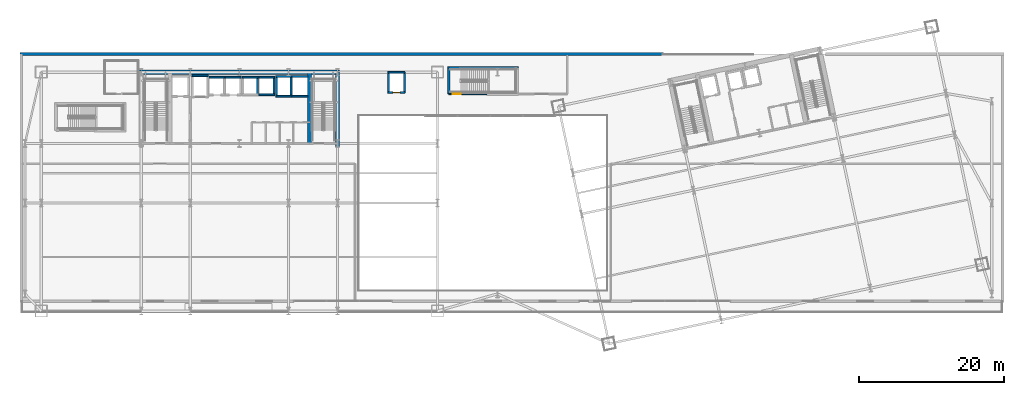
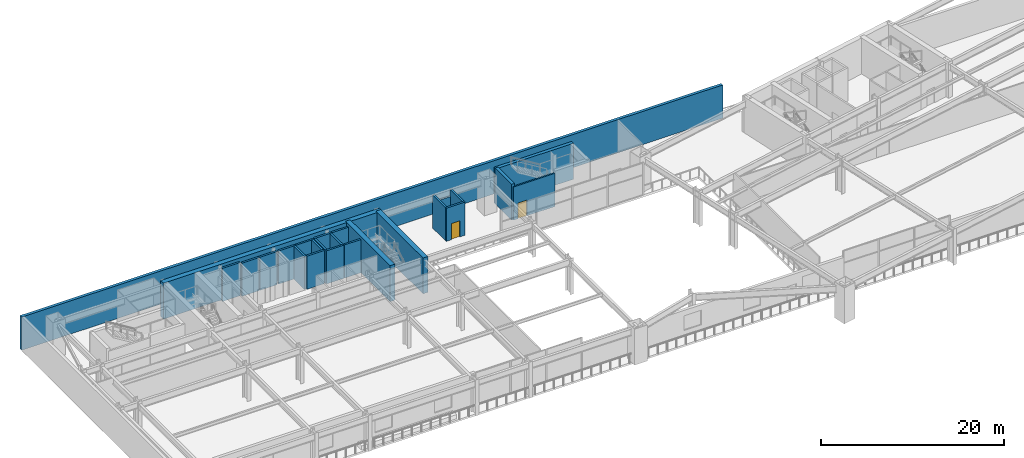
# One storey, part 20 of 35: 25 walls, 2 doors, 2 openings.
"""IFC4 building model written with IfcOpenShell, lengths in metres."""

from ifc_helpers import new_model, si_unit, direction, frame, frame_2d, origin, place, context, subcontext, project, spatial, rectangle, extrude, material, layer, layer_set, type_object, element, fill, save


model = new_model("IFC4")

# Units and contexts
model_context = context("Model", 3, precision=1e-05, world=origin(), true_north=direction((0.0, 1.0)))
body_context = subcontext(model_context, "Body", "Model", "MODEL_VIEW")
ifc_project = project(units=[si_unit("LENGTHUNIT", "METRE"), si_unit("AREAUNIT", "SQUARE_METRE"), si_unit("VOLUMEUNIT", "CUBIC_METRE"), si_unit("PLANEANGLEUNIT", "RADIAN"), si_unit("MASSUNIT", "GRAM", prefix="KILO")], contexts=[model_context])

# Site, building, storey
site_placement = place(None, origin())
site = spatial("IfcSite", under=ifc_project, at=site_placement, CompositionType="ELEMENT")
building_placement = place(site_placement, origin())
building = spatial("IfcBuilding", under=site, at=building_placement, Name="Haevon Station Towers", CompositionType="ELEMENT")
storey_placement = place(building_placement, frame((0.0, 0.0, 20.39990234375)))
storey = spatial("IfcBuildingStorey", under=building, at=storey_placement, Name="L04", CompositionType="ELEMENT", Elevation=20.39990234375)

# Wall, opening, door
ifc_material_1 = material(Name="Gypsum board on steel stud", Category="steel")
ifc_layer_1 = layer(ifc_material_1, 0.199951171875)
ifc_layer_set_1 = layer_set([ifc_layer_1], Name="Gypsum board on steel stud")
wall_type_1 = type_object("IfcWallType", Name="WL-COR200", PredefinedType="PARTITIONING", material=ifc_layer_set_1)
wall_1_placement = place(storey_placement, frame((66.300048828125, 45.0, 0.0), z_axis=(0.0, 0.0, 1.0), x_axis=(1.0, 0.0, 0.0)))
wall_1 = element("IfcWall", 1, at=wall_1_placement, inside=storey, type_object=wall_type_1, Name="WL-ST-ST6-L04-S", PredefinedType="PARTITIONING", context=body_context, shape_type="SweptSolid", body=[
    extrude(rectangle(XDim=5.199951171875, YDim=0.199951171875, at=frame_2d((2.60009765625, 0.0))), origin(), (0.0, 0.0, 1.0), 4.43017578125),
])
opening_1_placement = place(wall_1_placement, frame((0.550048828125, 0.0, 0.0)))
opening_1 = element("IfcOpeningElement", 2, at=opening_1_placement, cuts=wall_1, Name="Opening DR-ST-ST6-L04", PredefinedType="OPENING", context=body_context, shape_type="SweptSolid", body=[
    extrude(rectangle(XDim=1.1201171875, YDim=2.10009765625, at=frame_2d((0.56005859375, 1.050048828125))), frame((0.0, 0.10986328125, 0.0), z_axis=(0.0, -1.0, 0.0), x_axis=(1.0, 0.0, 0.0)), (0.0, 0.0, 1.0), 0.219970703125),
])
ifc_material_2 = material(Name="Engineered oak timber", Category="wood")
door_type_1 = type_object("IfcDoorType", Name="DR-ST-1120", OperationType="NOTDEFINED", PredefinedType="DOOR", material=ifc_material_2)
door_1_placement = place(opening_1_placement, origin())
door_1 = element("IfcDoor", 3, at=door_1_placement, inside=storey, type_object=door_type_1, Name="L04 Station Escape Stair ST6 Fire Door", OperationType="SINGLE_SWING_LEFT", OverallHeight=2.10009765625, OverallWidth=1.1201171875, PredefinedType="DOOR", context=body_context, shape_type="SweptSolid", body=[
    extrude(rectangle(XDim=1.1201171875, YDim=2.10009765625, at=frame_2d((0.56005859375, 1.050048828125))), frame((0.0, 0.02490234375, 0.0), z_axis=(0.0, -1.0, 0.0), x_axis=(1.0, 0.0, 0.0)), (0.0, 0.0, 1.0), 0.050048828125),
])
fill(opening_1, door_1)

# Walls
ifc_material_3 = material(Name="Concrete C60/75", Category="concrete")
ifc_layer_2 = layer(ifc_material_3, 0.39990234375)
ifc_layer_set_2 = layer_set([ifc_layer_2], Name="Concrete C60/75")
wall_type_2 = type_object("IfcWallType", Name="WL-CR400", PredefinedType="SHEAR", material=ifc_layer_set_2)
wall_2_placement = place(storey_placement, frame((66.10009765625, 48.60009765625, 0.0), z_axis=(0.0, 0.0, 1.0), x_axis=(1.0, 0.0, 0.0)))
element("IfcWall", 4, at=wall_2_placement, inside=storey, type_object=wall_type_2, Name="WL-ST6CR-L04-N", PredefinedType="SHEAR", context=body_context, shape_type="SweptSolid", body=[
    extrude(rectangle(XDim=9.7998046875, YDim=0.39990234375, at=frame_2d((4.89990234375, 0.0))), origin(), (0.0, 0.0, 1.0), 4.800048828125),
])
wall_3_placement = place(storey_placement, frame((66.300048828125, 45.0, 0.0), z_axis=(0.0, 0.0, 1.0), x_axis=(0.0, 1.0, 0.0)))
element("IfcWall", 5, at=wall_3_placement, inside=storey, type_object=wall_type_2, Name="WL-ST6CR-L04-W", PredefinedType="SHEAR", context=body_context, shape_type="SweptSolid", body=[
    extrude(rectangle(XDim=3.60009765625, YDim=0.39990234375, at=frame_2d((1.800048828125, 0.0))), origin(), (0.0, 0.0, 1.0), 4.800048828125),
])
ifc_layer_3 = layer(ifc_material_3, 0.60009765625)
ifc_layer_set_3 = layer_set([ifc_layer_3], Name="Concrete C60/75")
wall_type_3 = type_object("IfcWallType", Name="WL-CR600", PredefinedType="SHEAR", material=ifc_layer_set_3)
wall_4_placement = place(storey_placement, frame((23.699951171875, 48.0, 0.0), z_axis=(0.0, 0.0, 1.0), x_axis=(1.0, 0.0, 0.0)))
element("IfcWall", 6, at=wall_4_placement, inside=storey, type_object=wall_type_3, Name="WL-T1CR-L04-N", PredefinedType="SHEAR", context=body_context, shape_type="SweptSolid", body=[
    extrude(rectangle(XDim=27.60009765625, YDim=0.60009765625, at=frame_2d((13.800048828125, 0.0))), origin(), (0.0, 0.0, 1.0), 4.800048828125),
])
wall_5_placement = place(storey_placement, frame((51.0, 37.679931640625, 0.0), z_axis=(0.0, 0.0, 1.0), x_axis=(0.0, 1.0, 0.0)))
element("IfcWall", 7, at=wall_5_placement, inside=storey, type_object=wall_type_3, Name="WL-T1CR-L04-E", PredefinedType="SHEAR", context=body_context, shape_type="SweptSolid", body=[
    extrude(rectangle(XDim=10.320068359375, YDim=0.60009765625, at=frame_2d((5.16015625, 0.0))), origin(), (0.0, 0.0, 1.0), 4.800048828125),
])
wall_6_placement = place(storey_placement, frame((47.14990234375, 38.199951171875, 0.0), z_axis=(0.0, 0.0, 1.0), x_axis=(0.0, 1.0, 0.0)))
element("IfcWall", 8, at=wall_6_placement, inside=storey, type_object=wall_type_3, Name="WL-T1CR-L04-M2", PredefinedType="SHEAR", context=body_context, shape_type="SweptSolid", body=[
    extrude(rectangle(XDim=9.800048828125, YDim=0.60009765625, at=frame_2d((4.89990234375, 0.0))), origin(), (0.0, 0.0, 1.0), 4.800048828125),
])
ifc_material_4 = material(Name="Precast concrete C45/55", Category="concrete")
ifc_layer_4 = layer(ifc_material_4, 0.360107421875)
ifc_layer_set_4 = layer_set([ifc_layer_4], Name="Precast concrete C45/55")
wall_type_4 = type_object("IfcWallType", Name="WL-EXT-POD360", PredefinedType="SOLIDWALL", material=ifc_layer_set_4)
wall_7_placement = place(storey_placement, frame((7.320068359375, 50.5, 0.0), z_axis=(0.0, 0.0, 1.0), x_axis=(1.0, 0.0, 0.0)))
element("IfcWall", 9, at=wall_7_placement, inside=storey, type_object=wall_type_4, Name="WL-POD-L04-N1", PredefinedType="SOLIDWALL", context=body_context, shape_type="SweptSolid", body=[
    extrude(rectangle(XDim=88.530029296875, YDim=0.360107421875, at=frame_2d((44.26513671875, 0.0))), origin(), (0.0, 0.0, 1.0), 4.43017578125),
])
ifc_material_5 = material(Name="Concrete C40/50", Category="concrete")
ifc_layer_5 = layer(ifc_material_5, 0.239990234375)
ifc_layer_set_5 = layer_set([ifc_layer_5], Name="Concrete C40/50")
wall_type_5 = type_object("IfcWallType", Name="WL-SHF240", PredefinedType="PARTITIONING", material=ifc_layer_set_5)
wall_8_placement = place(storey_placement, frame((30.969970703125, 47.5, 0.0), z_axis=(0.0, 0.0, 1.0), x_axis=(1.0, 0.0, 0.0)))
element("IfcWall", 10, at=wall_8_placement, inside=storey, type_object=wall_type_5, Name="WL-SHF-SL1-L04-N", PredefinedType="PARTITIONING", context=body_context, shape_type="SweptSolid", body=[
    extrude(rectangle(XDim=2.260009765625, YDim=0.239990234375, at=frame_2d((1.1298828125, 0.0))), origin(), (0.0, 0.0, 1.0), 4.43017578125),
])
for number, where, z_axis, x_axis, name in (
    (11, (33.320068359375, 47.300048828125, 0.0), (0.0, 0.0, 1.0), (1.0, 0.0, 0.0), "WL-SHF-PL1-L04-N"),
    (12, (35.570068359375, 47.300048828125, 0.0), (0.0, 0.0, 1.0), (1.0, 0.0, 0.0), "WL-SHF-PL2-L04-N"),
):
    element("IfcWall", number, at=place(storey_placement, frame(where, z_axis=z_axis, x_axis=x_axis)), inside=storey, type_object=wall_type_5, Name=name, PredefinedType="PARTITIONING", context=body_context, shape_type="SweptSolid", body=[
        extrude(rectangle(XDim=2.159912109375, YDim=0.239990234375, at=frame_2d((1.080078125, 0.0))), origin(), (0.0, 0.0, 1.0), 4.43017578125),
    ])
wall_9_placement = place(storey_placement, frame((37.919921875, 47.300048828125, 0.0), z_axis=(0.0, 0.0, 1.0), x_axis=(1.0, 0.0, 0.0)))
element("IfcWall", 13, at=wall_9_placement, inside=storey, type_object=wall_type_5, Name="WL-SHF-PL3-L04-N", PredefinedType="PARTITIONING", context=body_context, shape_type="SweptSolid", body=[
    extrude(rectangle(XDim=2.16015625, YDim=0.239990234375, at=frame_2d((1.080078125, 0.0))), origin(), (0.0, 0.0, 1.0), 4.43017578125),
])
wall_10_placement = place(storey_placement, frame((40.0, 44.89990234375, 0.0), z_axis=(0.0, 0.0, 1.0), x_axis=(0.0, 1.0, 0.0)))
element("IfcWall", 14, at=wall_10_placement, inside=storey, type_object=wall_type_5, Name="WL-SHF-PL3-L04-E", PredefinedType="PARTITIONING", context=body_context, shape_type="SweptSolid", body=[
    extrude(rectangle(XDim=2.400146484375, YDim=0.239990234375, at=frame_2d((1.2001953125, 0.0))), origin(), (0.0, 0.0, 1.0), 4.43017578125),
])
for number, where, z_axis, x_axis, name in (
    (15, (40.169921875, 44.89990234375, 0.0), (0.0, 0.0, 1.0), (1.0, 0.0, 0.0), "WL-SHF-PL4-L04"),
    (16, (40.169921875, 47.300048828125, 0.0), (0.0, 0.0, 1.0), (1.0, 0.0, 0.0), "WL-SHF-PL4-L04-N"),
):
    element("IfcWall", number, at=place(storey_placement, frame(where, z_axis=z_axis, x_axis=x_axis)), inside=storey, type_object=wall_type_5, Name=name, PredefinedType="PARTITIONING", context=body_context, shape_type="SweptSolid", body=[
        extrude(rectangle(XDim=2.16015625, YDim=0.239990234375, at=frame_2d((1.080078125, 0.0))), origin(), (0.0, 0.0, 1.0), 4.43017578125),
    ])
wall_11_placement = place(storey_placement, frame((42.25, 44.89990234375, 0.0), z_axis=(0.0, 0.0, 1.0), x_axis=(0.0, 1.0, 0.0)))
element("IfcWall", 17, at=wall_11_placement, inside=storey, type_object=wall_type_5, Name="WL-SHF-PL4-L04-E", PredefinedType="PARTITIONING", context=body_context, shape_type="SweptSolid", body=[
    extrude(rectangle(XDim=2.400146484375, YDim=0.239990234375, at=frame_2d((1.2001953125, 0.0))), origin(), (0.0, 0.0, 1.0), 4.43017578125),
])
for number, where, z_axis, x_axis, name in (
    (18, (42.52001953125, 44.699951171875, 0.0), (0.0, 0.0, 1.0), (1.0, 0.0, 0.0), "WL-SHF-PL5-L04"),
    (19, (42.52001953125, 47.39990234375, 0.0), (0.0, 0.0, 1.0), (1.0, 0.0, 0.0), "WL-SHF-PL5-L04-N"),
):
    element("IfcWall", number, at=place(storey_placement, frame(where, z_axis=z_axis, x_axis=x_axis)), inside=storey, type_object=wall_type_5, Name=name, PredefinedType="PARTITIONING", context=body_context, shape_type="SweptSolid", body=[
        extrude(rectangle(XDim=2.159912109375, YDim=0.239990234375, at=frame_2d((1.080078125, 0.0))), origin(), (0.0, 0.0, 1.0), 4.43017578125),
    ])
for number, where, z_axis, x_axis, name in (
    (20, (42.60009765625, 44.699951171875, 0.0), (0.0, 0.0, 1.0), (0.0, 1.0, 0.0), "WL-SHF-PL5-L04-W"),
    (21, (44.60009765625, 44.699951171875, 0.0), (0.0, 0.0, 1.0), (0.0, 1.0, 0.0), "WL-SHF-PL5-L04-E"),
):
    element("IfcWall", number, at=place(storey_placement, frame(where, z_axis=z_axis, x_axis=x_axis)), inside=storey, type_object=wall_type_5, Name=name, PredefinedType="PARTITIONING", context=body_context, shape_type="SweptSolid", body=[
        extrude(rectangle(XDim=2.699951171875, YDim=0.239990234375, at=frame_2d((1.35009765625, 0.0))), origin(), (0.0, 0.0, 1.0), 4.43017578125),
    ])
for number, where, z_axis, x_axis, name in (
    (22, (44.77001953125, 44.699951171875, 0.0), (0.0, 0.0, 1.0), (1.0, 0.0, 0.0), "WL-SHF-PL6-L04"),
    (23, (44.77001953125, 47.39990234375, 0.0), (0.0, 0.0, 1.0), (1.0, 0.0, 0.0), "WL-SHF-PL6-L04-N"),
):
    element("IfcWall", number, at=place(storey_placement, frame(where, z_axis=z_axis, x_axis=x_axis)), inside=storey, type_object=wall_type_5, Name=name, PredefinedType="PARTITIONING", context=body_context, shape_type="SweptSolid", body=[
        extrude(rectangle(XDim=2.159912109375, YDim=0.239990234375, at=frame_2d((1.080078125, 0.0))), origin(), (0.0, 0.0, 1.0), 4.43017578125),
    ])

# Wall, opening, door
wall_12_placement = place(storey_placement, frame((57.919921875, 45.199951171875, 0.0), z_axis=(0.0, 0.0, 1.0), x_axis=(1.0, 0.0, 0.0)))
wall_12 = element("IfcWall", 24, at=wall_12_placement, inside=storey, type_object=wall_type_5, Name="WL-SHF-PL11-L04", PredefinedType="PARTITIONING", context=body_context, shape_type="SweptSolid", body=[
    extrude(rectangle(XDim=2.360107421875, YDim=0.239990234375, at=frame_2d((1.18017578125, 0.0))), origin(), (0.0, 0.0, 1.0), 4.43017578125),
])
opening_2_placement = place(wall_12_placement, frame((0.655029296875, 0.0, 0.0)))
opening_2 = element("IfcOpeningElement", 25, at=opening_2_placement, cuts=wall_12, Name="Opening LD-PL11-L04", PredefinedType="OPENING", context=body_context, shape_type="SweptSolid", body=[
    extrude(rectangle(XDim=1.050048828125, YDim=2.14990234375, at=frame_2d((0.52490234375, 1.074951171875))), frame((0.0, 0.1298828125, 0.0), z_axis=(0.0, -1.0, 0.0), x_axis=(1.0, 0.0, 0.0)), (0.0, 0.0, 1.0), 0.260009765625),
])
ifc_material_6 = material(Name="Stainless steel and rated core", Category="steel")
door_type_2 = type_object("IfcDoorType", Name="LD-PL1050", OperationType="SLIDING_TO_LEFT", PredefinedType="DOOR", material=ifc_material_6)
door_2_placement = place(opening_2_placement, origin())
door_2 = element("IfcDoor", 26, at=door_2_placement, inside=storey, type_object=door_type_2, Name="L04 Lift PL11 Sliding Landing Door", OperationType="SLIDING_TO_LEFT", OverallHeight=2.14990234375, OverallWidth=1.050048828125, PredefinedType="DOOR", context=body_context, shape_type="SweptSolid", body=[
    extrude(rectangle(XDim=1.050048828125, YDim=2.14990234375, at=frame_2d((0.52490234375, 1.074951171875))), frame((0.0, 0.02490234375, 0.0), z_axis=(0.0, -1.0, 0.0), x_axis=(1.0, 0.0, 0.0)), (0.0, 0.0, 1.0), 0.050048828125),
])
fill(opening_2, door_2)

# Walls
wall_13_placement = place(storey_placement, frame((57.919921875, 48.0, 0.0), z_axis=(0.0, 0.0, 1.0), x_axis=(1.0, 0.0, 0.0)))
element("IfcWall", 27, at=wall_13_placement, inside=storey, type_object=wall_type_5, Name="WL-SHF-PL11-L04-N", PredefinedType="PARTITIONING", context=body_context, shape_type="SweptSolid", body=[
    extrude(rectangle(XDim=2.360107421875, YDim=0.239990234375, at=frame_2d((1.18017578125, 0.0))), origin(), (0.0, 0.0, 1.0), 3.530029296875),
])
for number, where, z_axis, x_axis, name in (
    (28, (58.0, 45.199951171875, 0.0), (0.0, 0.0, 1.0), (0.0, 1.0, 0.0), "WL-SHF-PL11-L04-W"),
    (29, (60.199951171875, 45.199951171875, 0.0), (0.0, 0.0, 1.0), (0.0, 1.0, 0.0), "WL-SHF-PL11-L04-E"),
):
    element("IfcWall", number, at=place(storey_placement, frame(where, z_axis=z_axis, x_axis=x_axis)), inside=storey, type_object=wall_type_5, Name=name, PredefinedType="PARTITIONING", context=body_context, shape_type="SweptSolid", body=[
        extrude(rectangle(XDim=2.800048828125, YDim=0.239990234375, at=frame_2d((1.39990234375, 0.0))), origin(), (0.0, 0.0, 1.0), 4.43017578125),
    ])

save(model, "model.ifc")
